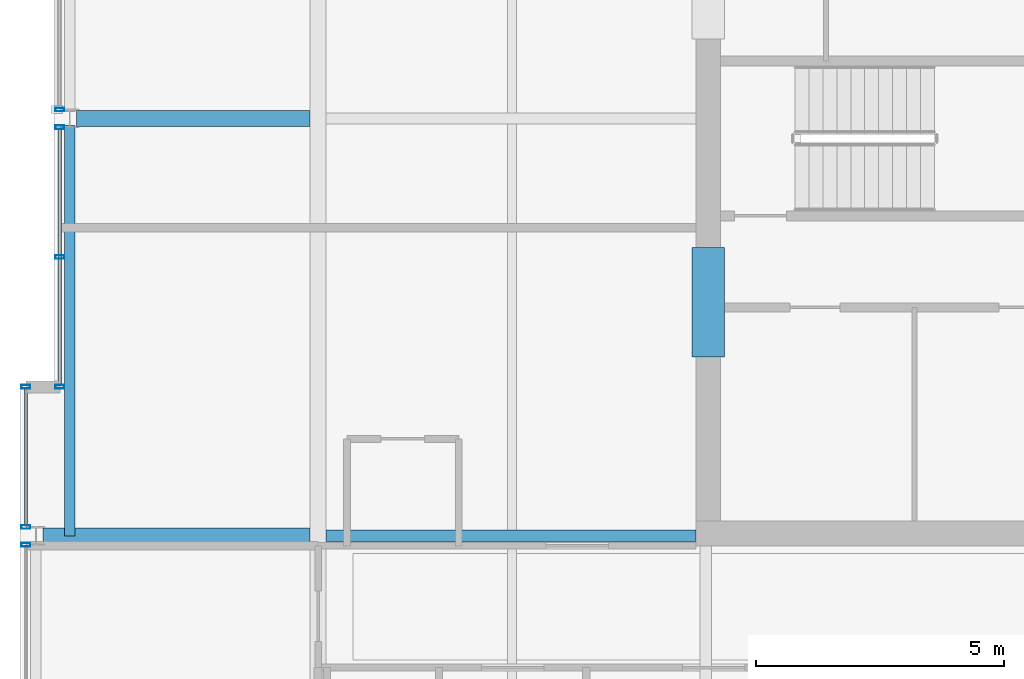
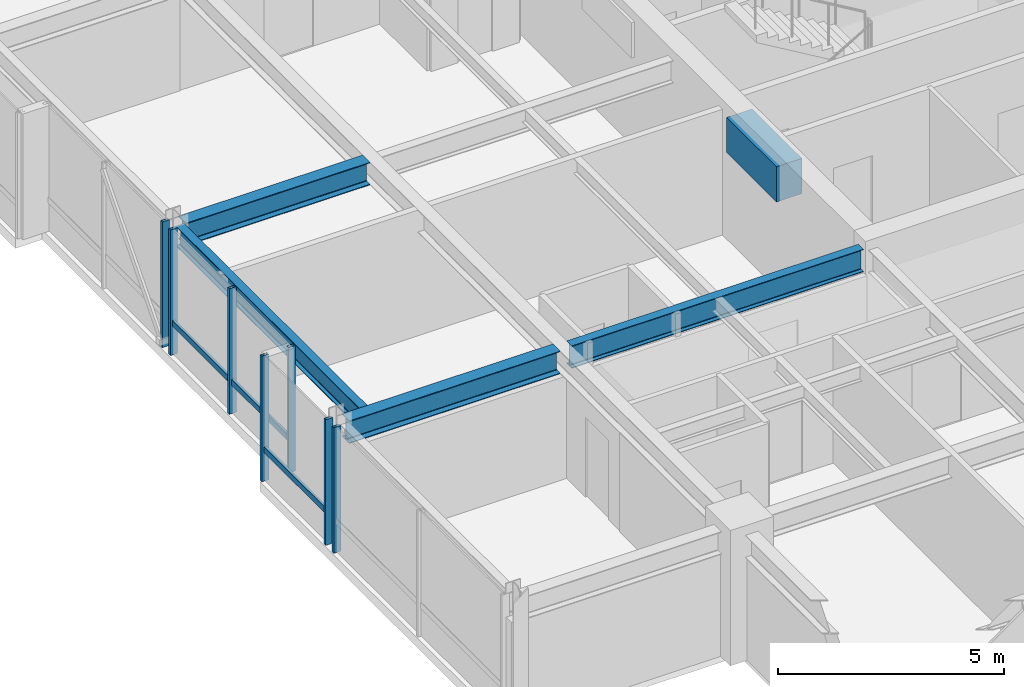
# One storey, part 8 of 32: 9 members, 5 beams, 4 elements without a shape of their own.
"""IFC4 building model written with IfcOpenShell, lengths in metres."""

from ifc_helpers import new_model, si_unit, direction, frame, origin, origin_2d, place, context, subcontext, project, spatial, rectangle, hollow_rectangle, i_section, extrude, material, layer, layer_set, material_profile, profile_set, type_object, element, aggregate, save


model = new_model("IFC4")

# Units and contexts
model_context = context("Model", 3, precision=1e-05, world=origin(), true_north=direction((0.0, 1.0)))
body_context = subcontext(model_context, "Body", "Model", "MODEL_VIEW")
ifc_project = project(units=[si_unit("LENGTHUNIT", "METRE"), si_unit("AREAUNIT", "SQUARE_METRE"), si_unit("VOLUMEUNIT", "CUBIC_METRE"), si_unit("PLANEANGLEUNIT", "RADIAN"), si_unit("MASSUNIT", "GRAM", prefix="KILO")], contexts=[model_context])

# Site, building, storey
site_placement = place(None, origin())
site = spatial("IfcSite", under=ifc_project, at=site_placement, CompositionType="ELEMENT")
building_placement = place(site_placement, origin())
building = spatial("IfcBuilding", under=site, at=building_placement, Name="Drelvath Grand Hotel", CompositionType="ELEMENT")
storey_placement = place(building_placement, frame((0.0, 0.0, 265.0)))
storey = spatial("IfcBuildingStorey", under=building, at=storey_placement, Name="L69", CompositionType="ELEMENT", Elevation=265.0)

# Beam
ifc_material_1 = material(Name="Concrete f'c 55 MPa", Category="concrete")
ifc_material_profile_1 = material_profile(ifc_material_1, rectangle(XDim=0.64990234375, YDim=0.949951171875, at=origin_2d()), Name="CB650X950")
ifc_profile_set_1 = profile_set([ifc_material_profile_1], Name="Concrete f'c 55 MPa")
beam_type_1 = type_object("IfcBeamType", Name="Core Coupling Lintel CB650X950", PredefinedType="LINTEL", material=ifc_profile_set_1)
beam_1_placement = place(storey_placement, frame((-8.35009765625, 22.199951171875, 2.9150390625), z_axis=(0.0, 1.0, 0.0), x_axis=(-1.0, 0.0, 0.0)))
element("IfcBeam", 1, at=beam_1_placement, inside=storey, type_object=beam_type_1, Name="L69 Core Coupling Lintel WS", PredefinedType="LINTEL", context=body_context, shape_type="SweptSolid", body=[
    extrude(rectangle(XDim=0.64990234375, YDim=0.949951171875, at=origin_2d()), origin(), (0.0, 0.0, 1.0), 2.199951171875),
])

# Curtain wall, member
ifc_material_2 = material(Name="Platinum-Mist Anodised Aluminium Frame", Category="aluminium")
ifc_layer = layer(ifc_material_2, 0.199951171875)
ifc_layer_set = layer_set([ifc_layer], Name="Platinum-Mist Anodised Aluminium Frame")
curtain_wall_type = type_object("IfcCurtainWallType", Name="Stick Curtain Wall CW-05 Platinum Mist High-Rise", PredefinedType="NOTDEFINED", material=ifc_layer_set)
curtain_wall_1_placement = place(storey_placement, origin())
curtain_wall_1 = element("IfcCurtainWall", 2, at=curtain_wall_1_placement, inside=storey, type_object=curtain_wall_type, Name="L69 CW-05 Curtain Wall CW05-L69-WS2", PredefinedType="NOTDEFINED")
ifc_material_profile_2 = material_profile(ifc_material_2, hollow_rectangle(XDim=0.06494140625, YDim=0.159912109375, WallThickness=0.00390625, at=origin_2d()), Name="HSS160X65X4")
ifc_profile_set_2 = profile_set([ifc_material_profile_2], Name="Platinum-Mist Anodised Aluminium Frame")
member_type_1 = type_object("IfcMemberType", Name="Curtain Wall Horizontal Transom CW-05 HSS160X65X4", PredefinedType="USERDEFINED", material=ifc_profile_set_2)
member_1_placement = place(storey_placement, frame((-22.080078125, 18.818115234375, 0.847412109375), z_axis=(0.0, 1.0, 0.0), x_axis=(-1.0, 0.0, 0.0)))
member_1 = element("IfcMember", 3, at=member_1_placement, type_object=member_type_1, Name="CW05-L69-WS2 Sill Transom", ObjectType="TRANSOM", PredefinedType="USERDEFINED", context=body_context, shape_type="SweptSolid", body=[
    extrude(hollow_rectangle(XDim=0.06494140625, YDim=0.159912109375, WallThickness=0.00390625, at=origin_2d()), origin(), (0.0, 0.0, 1.0), 2.741943359375),
])

curtain_wall_2_placement = place(storey_placement, origin())
curtain_wall_2 = element("IfcCurtainWall", 4, at=curtain_wall_2_placement, inside=storey, type_object=curtain_wall_type, Name="L69 CW-05 Curtain Wall CW05-L69-WM1", PredefinedType="NOTDEFINED")
member_2_placement = place(storey_placement, frame((-21.39990234375, 21.639892578125, 0.847412109375), z_axis=(0.0, 1.0, 0.0), x_axis=(-1.0, 0.0, 0.0)))
member_2 = element("IfcMember", 5, at=member_2_placement, type_object=member_type_1, Name="CW05-L69-WM1 Sill Transom", ObjectType="TRANSOM", PredefinedType="USERDEFINED", context=body_context, shape_type="SweptSolid", body=[
    extrude(hollow_rectangle(XDim=0.06494140625, YDim=0.159912109375, WallThickness=0.00390625, at=origin_2d()), origin(), (0.0, 0.0, 1.0), 5.141845703125),
])

curtain_wall_3_placement = place(storey_placement, origin())
curtain_wall_3 = element("IfcCurtainWall", 6, at=curtain_wall_3_placement, inside=storey, type_object=curtain_wall_type, Name="L69 CW-05 Curtain Wall CW05-L69-WS1", PredefinedType="NOTDEFINED")
ifc_material_profile_3 = material_profile(ifc_material_2, hollow_rectangle(XDim=0.074951171875, YDim=0.179931640625, WallThickness=0.0048828125, at=origin_2d()), Name="HSS180X75X5")
ifc_profile_set_3 = profile_set([ifc_material_profile_3], Name="Platinum-Mist Anodised Aluminium Frame")
member_type_2 = type_object("IfcMemberType", Name="Curtain Wall Vertical Mullion CW-05 HSS180X75X5", PredefinedType="MULLION", material=ifc_profile_set_3)
member_3_placement = place(storey_placement, frame((-22.080078125, 18.421875, 0.0), z_axis=(0.0, 0.0, 1.0), x_axis=(0.0, 1.0, 0.0)))
member_3 = element("IfcMember", 7, at=member_3_placement, type_object=member_type_2, Name="CW05-L69-WS1 Mullion 3", PredefinedType="MULLION", context=body_context, shape_type="SweptSolid", body=[
    extrude(hollow_rectangle(XDim=0.074951171875, YDim=0.179931640625, WallThickness=0.0048828125, at=origin_2d()), origin(), (0.0, 0.0, 1.0), 3.389892578125),
])
aggregate(curtain_wall_3, [member_3])

# Member
member_4_placement = place(storey_placement, frame((-22.080078125, 18.7783203125, 0.0), z_axis=(0.0, 0.0, 1.0), x_axis=(0.0, 1.0, 0.0)))
member_4 = element("IfcMember", 8, at=member_4_placement, type_object=member_type_2, Name="CW05-L69-WS2 Mullion 1", PredefinedType="MULLION", context=body_context, shape_type="SweptSolid", body=[
    extrude(hollow_rectangle(XDim=0.074951171875, YDim=0.179931640625, WallThickness=0.0048828125, at=origin_2d()), origin(), (0.0, 0.0, 1.0), 3.389892578125),
])

member_5_placement = place(storey_placement, frame((-22.080078125, 21.60009765625, 0.0), z_axis=(0.0, 0.0, 1.0), x_axis=(0.0, 1.0, 0.0)))
member_5 = element("IfcMember", 9, at=member_5_placement, type_object=member_type_2, Name="CW05-L69-WS2 Mullion 2", PredefinedType="MULLION", context=body_context, shape_type="SweptSolid", body=[
    extrude(hollow_rectangle(XDim=0.074951171875, YDim=0.179931640625, WallThickness=0.0048828125, at=origin_2d()), origin(), (0.0, 0.0, 1.0), 3.389892578125),
])

aggregate(curtain_wall_1, [member_4, member_5, member_1])

member_6_placement = place(storey_placement, frame((-21.39990234375, 21.60009765625, 0.0), z_axis=(0.0, 0.0, 1.0), x_axis=(0.0, 1.0, 0.0)))
member_6 = element("IfcMember", 10, at=member_6_placement, type_object=member_type_2, Name="CW05-L69-WM1 Mullion 1", PredefinedType="MULLION", context=body_context, shape_type="SweptSolid", body=[
    extrude(hollow_rectangle(XDim=0.074951171875, YDim=0.179931640625, WallThickness=0.0048828125, at=origin_2d()), origin(), (0.0, 0.0, 1.0), 3.389892578125),
])

member_7_placement = place(storey_placement, frame((-21.39990234375, 24.2109375, 0.0), z_axis=(0.0, 0.0, 1.0), x_axis=(0.0, 1.0, 0.0)))
member_7 = element("IfcMember", 11, at=member_7_placement, type_object=member_type_2, Name="CW05-L69-WM1 Mullion 2", PredefinedType="MULLION", context=body_context, shape_type="SweptSolid", body=[
    extrude(hollow_rectangle(XDim=0.074951171875, YDim=0.179931640625, WallThickness=0.0048828125, at=origin_2d()), origin(), (0.0, 0.0, 1.0), 3.389892578125),
])

member_8_placement = place(storey_placement, frame((-21.39990234375, 26.82177734375, 0.0), z_axis=(0.0, 0.0, 1.0), x_axis=(0.0, 1.0, 0.0)))
member_8 = element("IfcMember", 12, at=member_8_placement, type_object=member_type_2, Name="CW05-L69-WM1 Mullion 3", PredefinedType="MULLION", context=body_context, shape_type="SweptSolid", body=[
    extrude(hollow_rectangle(XDim=0.074951171875, YDim=0.179931640625, WallThickness=0.0048828125, at=origin_2d()), origin(), (0.0, 0.0, 1.0), 3.389892578125),
])

aggregate(curtain_wall_2, [member_6, member_7, member_8, member_2])

# Curtain wall, member
curtain_wall_4_placement = place(storey_placement, origin())
curtain_wall_4 = element("IfcCurtainWall", 13, at=curtain_wall_4_placement, inside=storey, type_object=curtain_wall_type, Name="L69 CW-05 Curtain Wall CW05-L69-WM2", PredefinedType="NOTDEFINED")
member_9_placement = place(storey_placement, frame((-21.39990234375, 27.17822265625, 0.0), z_axis=(0.0, 0.0, 1.0), x_axis=(0.0, 1.0, 0.0)))
member_9 = element("IfcMember", 14, at=member_9_placement, type_object=member_type_2, Name="CW05-L69-WM2 Mullion 1", PredefinedType="MULLION", context=body_context, shape_type="SweptSolid", body=[
    extrude(hollow_rectangle(XDim=0.074951171875, YDim=0.179931640625, WallThickness=0.0048828125, at=origin_2d()), origin(), (0.0, 0.0, 1.0), 3.389892578125),
])
aggregate(curtain_wall_4, [member_9])

# Beams
ifc_material_3 = material(Name="Steel ASTM A992 Gr 50", Category="steel")
ifc_material_profile_4 = material_profile(ifc_material_3, i_section(OverallWidth=0.210205078125, OverallDepth=0.53662109375, WebThickness=0.010986328125, FlangeThickness=0.017333984375, FilletRadius=0.01806640625, at=origin_2d()), Name="W21X68")
ifc_profile_set_4 = profile_set([ifc_material_profile_4], Name="Steel ASTM A992 Gr 50")
beam_type_2 = type_object("IfcBeamType", Name="Perimeter Spandrel Beam W21X68", PredefinedType="SPANDREL", material=ifc_profile_set_4)
beam_2_placement = place(storey_placement, frame((-21.199951171875, 18.60009765625, 3.12158203125), z_axis=(0.0, 1.0, 0.0), x_axis=(-1.0, 0.0, 0.0)))
element("IfcBeam", 15, at=beam_2_placement, inside=storey, type_object=beam_type_2, Name="L69 Spandrel West Mid S", PredefinedType="SPANDREL", context=body_context, shape_type="SweptSolid", body=[
    extrude(i_section(OverallWidth=0.210205078125, OverallDepth=0.53662109375, WebThickness=0.010986328125, FlangeThickness=0.017333984375, FilletRadius=0.01806640625, at=origin_2d()), origin(), (0.0, 0.0, 1.0), 8.260009765625),
])
ifc_material_profile_5 = material_profile(ifc_material_3, i_section(OverallWidth=0.323974609375, OverallDepth=0.611083984375, WebThickness=0.0126953125, FlangeThickness=0.01904296875, FilletRadius=0.02197265625, at=origin_2d()), Name="W24X104")
ifc_profile_set_5 = profile_set([ifc_material_profile_5], Name="Steel ASTM A992 Gr 50")
beam_type_3 = type_object("IfcBeamType", Name="Primary Floor Girder W24X104", PredefinedType="BEAM", material=ifc_profile_set_5)
beam_3_placement = place(storey_placement, frame((-21.739990234375, 18.60009765625, 3.08447265625), z_axis=(1.0, 0.0, 0.0), x_axis=(0.0, 1.0, 0.0)))
element("IfcBeam", 16, at=beam_3_placement, inside=storey, type_object=beam_type_3, Name="L69 West Wing Girder D", PredefinedType="BEAM", context=body_context, shape_type="SweptSolid", body=[
    extrude(i_section(OverallWidth=0.323974609375, OverallDepth=0.611083984375, WebThickness=0.0126953125, FlangeThickness=0.01904296875, FilletRadius=0.02197265625, at=origin_2d()), origin(), (0.0, 0.0, 1.0), 5.3779296875),
])
beam_4_placement = place(storey_placement, frame((-21.06005859375, 27.0, 3.08447265625), z_axis=(1.0, 0.0, 0.0), x_axis=(0.0, 1.0, 0.0)))
element("IfcBeam", 17, at=beam_4_placement, inside=storey, type_object=beam_type_3, Name="L69 West Wing Girder E", PredefinedType="BEAM", context=body_context, shape_type="SweptSolid", body=[
    extrude(i_section(OverallWidth=0.323974609375, OverallDepth=0.611083984375, WebThickness=0.0126953125, FlangeThickness=0.01904296875, FilletRadius=0.02197265625, at=origin_2d()), origin(), (0.0, 0.0, 1.0), 4.697998046875),
])
ifc_material_profile_6 = material_profile(ifc_material_3, i_section(OverallWidth=0.228271484375, OverallDepth=0.607666015625, WebThickness=0.01123046875, FlangeThickness=0.017333984375, FilletRadius=0.02001953125, at=origin_2d()), Name="W24X76")
ifc_profile_set_6 = profile_set([ifc_material_profile_6], Name="Steel ASTM A992 Gr 50")
beam_type_4 = type_object("IfcBeamType", Name="Primary Floor Girder W24X76", PredefinedType="BEAM", material=ifc_profile_set_6)
beam_5_placement = place(storey_placement, frame((-16.0380859375, 18.60009765625, 3.086181640625), z_axis=(1.0, 0.0, 0.0), x_axis=(0.0, 1.0, 0.0)))
element("IfcBeam", 18, at=beam_5_placement, inside=storey, type_object=beam_type_4, Name="L69 West Core Tie D", PredefinedType="BEAM", context=body_context, shape_type="SweptSolid", body=[
    extrude(i_section(OverallWidth=0.228271484375, OverallDepth=0.607666015625, WebThickness=0.01123046875, FlangeThickness=0.017333984375, FilletRadius=0.02001953125, at=origin_2d()), origin(), (0.0, 0.0, 1.0), 7.43798828125),
])

save(model, "model.ifc")
